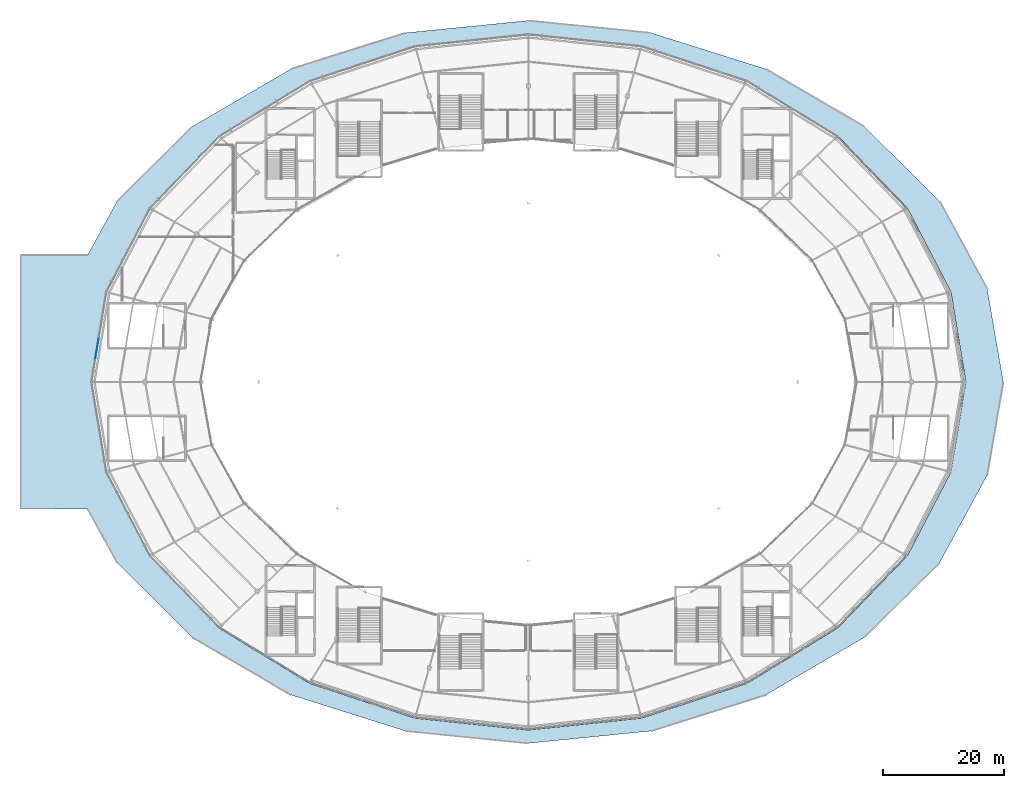
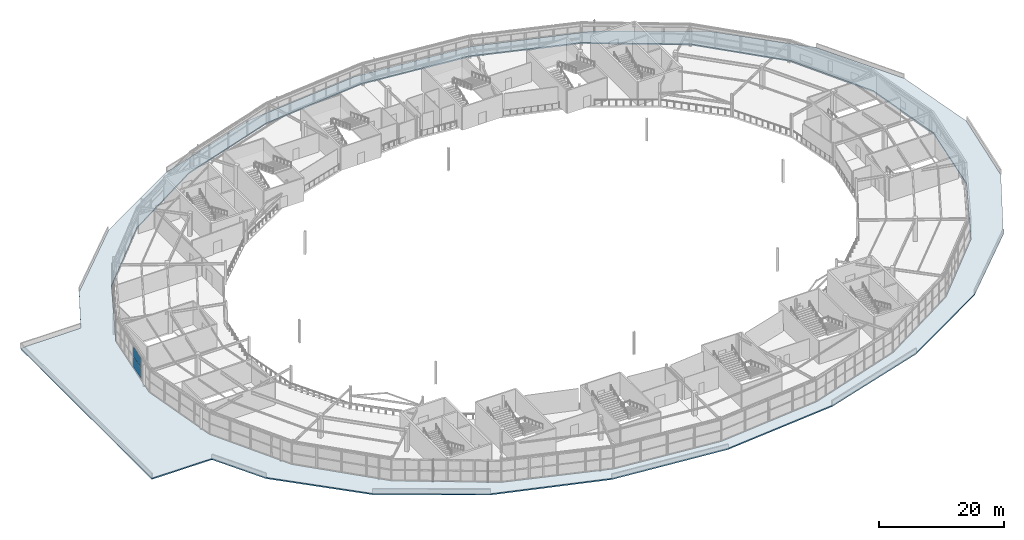
# One storey, part 96 of 126: 2 plates, 1 slab, 1 element without a shape of its own.
"""IFC4 building model written with IfcOpenShell, lengths in metres."""

from ifc_helpers import new_model, si_unit, direction, frame, origin, origin_2d, place, context, subcontext, project, spatial, polyline, rectangle, outline, extrude, material, layer, layer_set, type_object, element, aggregate, save


model = new_model("IFC4")

# Units and contexts
model_context = context("Model", 3, precision=1e-05, world=origin(), true_north=direction((0.0, 1.0)))
body_context = subcontext(model_context, "Body", "Model", "MODEL_VIEW")
ifc_project = project(units=[si_unit("LENGTHUNIT", "METRE"), si_unit("AREAUNIT", "SQUARE_METRE"), si_unit("VOLUMEUNIT", "CUBIC_METRE"), si_unit("PLANEANGLEUNIT", "RADIAN"), si_unit("MASSUNIT", "GRAM", prefix="KILO")], contexts=[model_context])

# Site, building, storey
site_placement = place(None, origin())
site = spatial("IfcSite", under=ifc_project, at=site_placement, CompositionType="ELEMENT")
building_placement = place(site_placement, origin())
building = spatial("IfcBuilding", under=site, at=building_placement, Name="Kalgoora Escarpment Arena", CompositionType="ELEMENT")
storey_placement = place(building_placement, frame((0.0, 0.0, 18.89990234375)))
storey = spatial("IfcBuildingStorey", under=building, at=storey_placement, Name="L04", CompositionType="ELEMENT", Elevation=18.89990234375)

# Curtain wall, plates
ifc_material_1 = material(Name=" Champagne anodised aluminium & double-glazed low-E", Category="aluminium")
ifc_layer_1 = layer(ifc_material_1, 0.14990234375)
ifc_layer_set_1 = layer_set([ifc_layer_1], Name="CW-UNIT-20")
curtain_wall_type = type_object("IfcCurtainWallType", Name="CW-UNIT-20", PredefinedType="NOTDEFINED", material=ifc_layer_set_1)
curtain_wall_placement = place(storey_placement, origin())
curtain_wall = element("IfcCurtainWall", 1, at=curtain_wall_placement, inside=storey, type_object=curtain_wall_type, Name="L04 unitised facade curtain wall 139", PredefinedType="NOTDEFINED")
ifc_material_2 = material(Name="Acoustic laminated solar-control glass", Category="glass")
ifc_layer_2 = layer(ifc_material_2, 0.033935546875)
ifc_layer_set_2 = layer_set([ifc_layer_2], Name="PLT-CW-GLAZ-34")
plate_type = type_object("IfcPlateType", Name="PLT-CW-GLAZ-34", PredefinedType="CURTAIN_PANEL", material=ifc_layer_set_2)
plate_1_placement = place(storey_placement, frame((21.04345703125, 69.57080078125, 0.0751953125), z_axis=(0.0, 0.0, 1.0), x_axis=(0.163252461087, 0.986584326831, 0.0)))
plate_1 = element("IfcPlate", 2, at=plate_1_placement, type_object=plate_type, Name="CW-20 panel 1.1", PredefinedType="CURTAIN_PANEL", context=body_context, shape_type="SweptSolid", body=[
    extrude(rectangle(XDim=3.557861328125, YDim=0.033935546875, at=origin_2d()), origin(), (0.0, 0.0, 1.0), 2.007568359375),
])
plate_2_placement = place(storey_placement, frame((21.04345703125, 69.57080078125, 2.1376953125), z_axis=(0.0, 0.0, 1.0), x_axis=(0.163252461087, 0.986584326831, 0.0)))
plate_2 = element("IfcPlate", 3, at=plate_2_placement, type_object=plate_type, Name="CW-20 panel 1.2", PredefinedType="CURTAIN_PANEL", context=body_context, shape_type="SweptSolid", body=[
    extrude(rectangle(XDim=3.557861328125, YDim=0.033935546875, at=origin_2d()), origin(), (0.0, 0.0, 1.0), 1.987548828125),
])
aggregate(curtain_wall, [plate_1, plate_2])

# Slab
ifc_material_3 = material(Name="Concrete N40 (fc' 40 MPa)", Category="concrete")
ifc_layer_3 = layer(ifc_material_3, 0.239990234375)
ifc_layer_set_3 = layer_set([ifc_layer_3], Name="SLB-ROOF-240")
slab_type = type_object("IfcSlabType", Name="SLB-ROOF-240", PredefinedType="ROOF", material=ifc_layer_set_3)
slab_placement = place(storey_placement, frame((0.0, 0.0, -0.239990234375)))
element("IfcSlab", 4, at=slab_placement, inside=storey, type_object=slab_type, Name="L04 stepped podium roof slab 1", PredefinedType="ROOF", context=body_context, shape_type="SweptSolid", body=[
    extrude(outline(polyline([(8.39990234375, 84.89990234375), (19.48486328125, 85.0), (24.334228515625, 93.9033203125), (36.8125, 106.276123046875), (53.110595703125, 115.791748046875), (72.056884765625, 121.761962890625), (92.389892578125, 123.799072265625), (112.7431640625, 121.761962890625), (131.709716796875, 115.78271484375), (147.974609375, 106.286865234375), (160.4658203125, 93.9033203125), (168.32470703125, 79.461181640625), (170.998291015625, 64.005615234375), (168.32470703125, 48.538818359375), (160.459228515625, 34.089599609375), (147.974609375, 21.713134765625), (131.69970703125, 12.21240234375), (112.73291015625, 6.236572265625), (92.39990234375, 4.200439453125), (72.056884765625, 6.238037109375), (53.100341796875, 12.21240234375), (36.8251953125, 21.713134765625), (24.334228515625, 34.0966796875), (19.48486328125, 43.0), (8.422607421875, 43.03662109375), (8.39990234375, 84.89990234375)]), holes=[polyline([(20.000244140625, 64.0), (22.46826171875, 49.089599609375), (29.699951171875, 35.2001953125), (41.20556640625, 23.270751953125), (56.20263671875, 14.115966796875), (73.66162109375, 8.36279296875), (92.39990234375, 6.400146484375), (111.138427734375, 8.36279296875), (128.597412109375, 14.115966796875), (143.594482421875, 23.270751953125), (155.10009765625, 35.2001953125), (162.331787109375, 49.089599609375), (164.7998046875, 64.0), (162.331787109375, 78.910400390625), (155.10009765625, 92.7998046875), (143.594482421875, 104.729248046875), (128.597412109375, 113.884033203125), (111.138427734375, 119.63720703125), (92.39990234375, 121.599853515625), (73.66162109375, 119.63720703125), (56.20263671875, 113.884033203125), (41.20556640625, 104.729248046875), (29.699951171875, 92.7998046875), (22.46826171875, 78.910400390625), (20.000244140625, 64.0)])]), origin(), (0.0, 0.0, 1.0), 0.239990234375),
])

save(model, "model.ifc")
